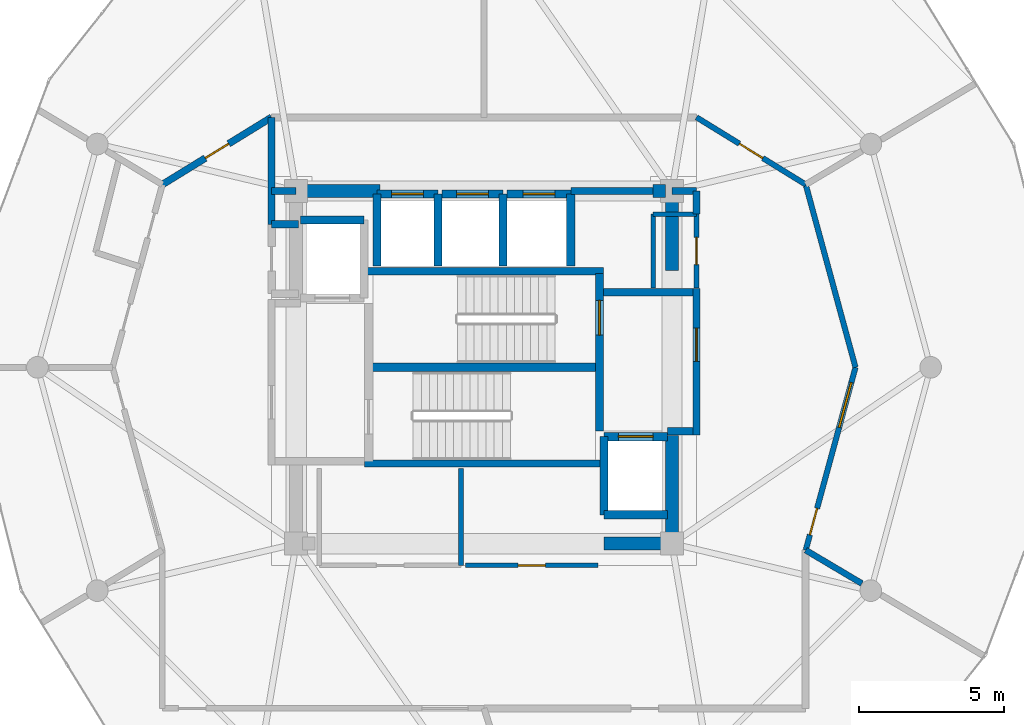
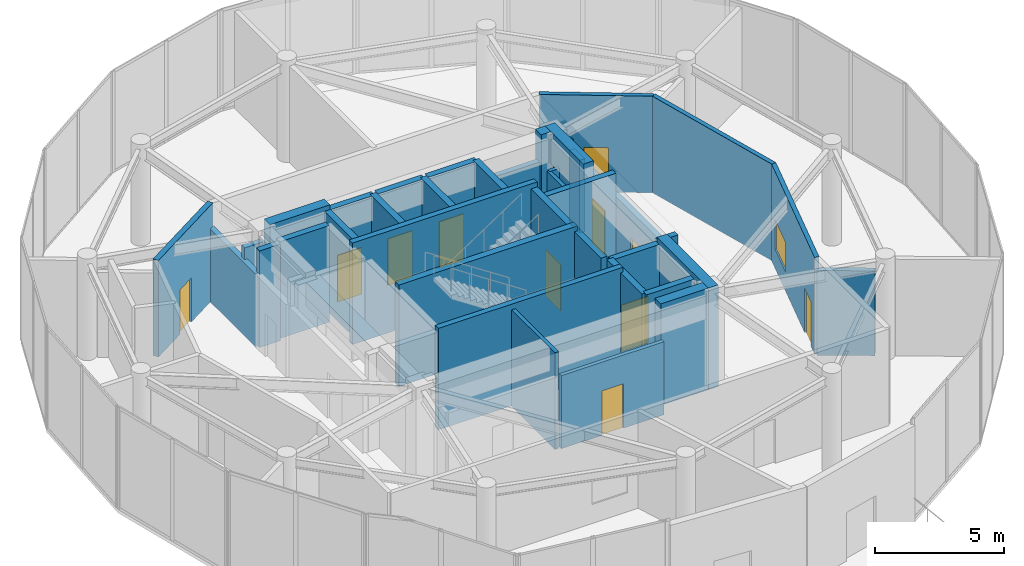
# One storey, part 18 of 21: 39 walls, 11 doors, 1 window, 12 openings.
"""IFC4 building model written with IfcOpenShell, lengths in metres."""

from ifc_helpers import new_model, si_unit, direction, frame, frame_2d, origin, place, context, subcontext, project, spatial, rectangle, extrude, material, layer, layer_set, type_object, element, fill, save


model = new_model("IFC4")

# Units and contexts
model_context = context("Model", 3, precision=1e-05, world=origin(), true_north=direction((0.0, 1.0)))
body_context = subcontext(model_context, "Body", "Model", "MODEL_VIEW")
ifc_project = project(units=[si_unit("LENGTHUNIT", "METRE"), si_unit("AREAUNIT", "SQUARE_METRE"), si_unit("VOLUMEUNIT", "CUBIC_METRE"), si_unit("PLANEANGLEUNIT", "RADIAN"), si_unit("MASSUNIT", "GRAM", prefix="KILO")], contexts=[model_context])

# Site, building, storey
site_placement = place(None, origin())
site = spatial("IfcSite", under=ifc_project, at=site_placement, CompositionType="ELEMENT")
building_placement = place(site_placement, origin())
building = spatial("IfcBuilding", under=site, at=building_placement, Name="Solvirekh Grand Hotel", CompositionType="ELEMENT")
storey_placement = place(building_placement, frame((0.0, 0.0, 262.0)))
storey = spatial("IfcBuildingStorey", under=building, at=storey_placement, Name="L68", CompositionType="ELEMENT", Elevation=262.0)

# Walls
ifc_material_1 = material(Name="Concrete C50/60", Category="concrete")
ifc_layer_1 = layer(ifc_material_1, 0.35009765625)
ifc_layer_set_1 = layer_set([ifc_layer_1], Name="Concrete C50/60")
wall_type_1 = type_object("IfcWallType", Name="CoreDivWall_RC350", PredefinedType="SOLIDWALL", material=ifc_layer_set_1)
for number, where, z_axis, x_axis, name in (
    (1, (-4.1298828125, -3.324951171875, 0.0), (0.0, 0.0, 1.0), (1.0, 0.0, 0.0), "L68 core stair box wall ST-S"),
    (2, (-4.1298828125, 3.324951171875, 0.0), (0.0, 0.0, 1.0), (1.0, 0.0, 0.0), "L68 core stair box wall ST-N"),
):
    element("IfcWall", number, at=place(storey_placement, frame(where, z_axis=z_axis, x_axis=x_axis)), inside=storey, type_object=wall_type_1, Name=name, PredefinedType="SOLIDWALL", context=body_context, shape_type="SweptSolid", body=[
        extrude(rectangle(XDim=8.259765625, YDim=0.25, at=frame_2d((4.1298828125, 0.0))), origin(), (0.0, 0.0, 1.0), 4.800048828125),
    ])

# Wall, opening, door
ifc_material_2 = material(Name="Concrete C40/50", Category="concrete")
ifc_layer_2 = layer(ifc_material_2, 0.280029296875)
ifc_layer_set_2 = layer_set([ifc_layer_2], Name="Concrete C40/50")
wall_type_2 = type_object("IfcWallType", Name="CoreShaftWall_RC280", PredefinedType="SOLIDWALL", material=ifc_layer_set_2)
wall_1_placement = place(storey_placement, frame((-1.60009765625, 6.0, 0.0), z_axis=(0.0, 0.0, 1.0), x_axis=(-1.0, 0.0, 0.0)))
wall_1 = element("IfcWall", 3, at=wall_1_placement, inside=storey, type_object=wall_type_2, Name="L68 HP-1 hoistway N wall", PredefinedType="SOLIDWALL", context=body_context, shape_type="SweptSolid", body=[
    extrude(rectangle(XDim=2.099853515625, YDim=0.280029296875, at=frame_2d((1.0498046875, 0.0))), origin(), (0.0, 0.0, 1.0), 4.570068359375),
])
opening_1_placement = place(wall_1_placement, frame((0.5, 0.0, 0.0)))
opening_1 = element("IfcOpeningElement", 4, at=opening_1_placement, cuts=wall_1, Name="Opening LD01", PredefinedType="OPENING", context=body_context, shape_type="SweptSolid", body=[
    extrude(rectangle(XDim=1.10009765625, YDim=2.199951171875, at=frame_2d((0.550048828125, 1.10009765625))), frame((0.0, 0.14990234375, 0.0), z_axis=(0.0, -1.0, 0.0), x_axis=(1.0, 0.0, 0.0)), (0.0, 0.0, 1.0), 0.300048828125),
])
ifc_material_3 = material(Name="Fire-Rated Steel Door Assembly", Category="steel")
door_type_1 = type_object("IfcDoorType", Name="Door_LiftLanding_1100X2200", OperationType="SLIDING_TO_LEFT", PredefinedType="DOOR", material=ifc_material_3)
door_1_placement = place(opening_1_placement, origin())
door_1 = element("IfcDoor", 5, at=door_1_placement, inside=storey, type_object=door_type_1, Name="L68 HP-1 sliding lift landing door", OperationType="SLIDING_TO_LEFT", OverallHeight=2.199951171875, OverallWidth=1.10009765625, PredefinedType="DOOR", context=body_context, shape_type="SweptSolid", body=[
    extrude(rectangle(XDim=1.10009765625, YDim=2.199951171875, at=frame_2d((0.550048828125, 1.10009765625))), frame((0.0, 0.02490234375, 0.0), z_axis=(0.0, -1.0, 0.0), x_axis=(1.0, 0.0, 0.0)), (0.0, 0.0, 1.0), 0.050048828125),
])
fill(opening_1, door_1)

# Walls
for number, where, z_axis, x_axis, name in (
    (6, (-3.699951171875, 6.0, 0.0), (0.0, 0.0, 1.0), (0.0, -1.0, 0.0), "L68 HP-1 hoistway W wall"),
    (7, (-1.60009765625, 3.5, 0.0), (0.0, 0.0, 1.0), (0.0, 1.0, 0.0), "L68 HP-1 hoistway E wall"),
):
    element("IfcWall", number, at=place(storey_placement, frame(where, z_axis=z_axis, x_axis=x_axis)), inside=storey, type_object=wall_type_2, Name=name, PredefinedType="SOLIDWALL", context=body_context, shape_type="SweptSolid", body=[
        extrude(rectangle(XDim=2.5, YDim=0.280029296875, at=frame_2d((1.25, 0.0))), origin(), (0.0, 0.0, 1.0), 4.570068359375),
    ])

# Wall, opening, door
wall_2_placement = place(storey_placement, frame((0.64990234375, 6.0, 0.0), z_axis=(0.0, 0.0, 1.0), x_axis=(-1.0, 0.0, 0.0)))
wall_2 = element("IfcWall", 8, at=wall_2_placement, inside=storey, type_object=wall_type_2, Name="L68 HP-2 hoistway N wall", PredefinedType="SOLIDWALL", context=body_context, shape_type="SweptSolid", body=[
    extrude(rectangle(XDim=2.099853515625, YDim=0.280029296875, at=frame_2d((1.0498046875, 0.0))), origin(), (0.0, 0.0, 1.0), 4.570068359375),
])
opening_2_placement = place(wall_2_placement, frame((0.5, 0.0, 0.0)))
opening_2 = element("IfcOpeningElement", 9, at=opening_2_placement, cuts=wall_2, Name="Opening LD01", PredefinedType="OPENING", context=body_context, shape_type="SweptSolid", body=[
    extrude(rectangle(XDim=1.10009765625, YDim=2.199951171875, at=frame_2d((0.550048828125, 1.10009765625))), frame((0.0, 0.14990234375, 0.0), z_axis=(0.0, -1.0, 0.0), x_axis=(1.0, 0.0, 0.0)), (0.0, 0.0, 1.0), 0.300048828125),
])
door_2_placement = place(opening_2_placement, origin())
door_2 = element("IfcDoor", 10, at=door_2_placement, inside=storey, type_object=door_type_1, Name="L68 HP-2 sliding lift landing door", OperationType="SLIDING_TO_LEFT", OverallHeight=2.199951171875, OverallWidth=1.10009765625, PredefinedType="DOOR", context=body_context, shape_type="SweptSolid", body=[
    extrude(rectangle(XDim=1.10009765625, YDim=2.199951171875, at=frame_2d((0.550048828125, 1.10009765625))), frame((0.0, 0.02490234375, 0.0), z_axis=(0.0, -1.0, 0.0), x_axis=(1.0, 0.0, 0.0)), (0.0, 0.0, 1.0), 0.050048828125),
])
fill(opening_2, door_2)

# Wall
wall_3_placement = place(storey_placement, frame((0.64990234375, 3.5, 0.0), z_axis=(0.0, 0.0, 1.0), x_axis=(0.0, 1.0, 0.0)))
element("IfcWall", 11, at=wall_3_placement, inside=storey, type_object=wall_type_2, Name="L68 HP-2 hoistway E wall", PredefinedType="SOLIDWALL", context=body_context, shape_type="SweptSolid", body=[
    extrude(rectangle(XDim=2.5, YDim=0.280029296875, at=frame_2d((1.25, 0.0))), origin(), (0.0, 0.0, 1.0), 4.570068359375),
])

# Wall, opening, door
wall_4_placement = place(storey_placement, frame((3.0, 6.0, 0.0), z_axis=(0.0, 0.0, 1.0), x_axis=(-1.0, 0.0, 0.0)))
wall_4 = element("IfcWall", 12, at=wall_4_placement, inside=storey, type_object=wall_type_2, Name="L68 EX-1 hoistway N wall", PredefinedType="SOLIDWALL", context=body_context, shape_type="SweptSolid", body=[
    extrude(rectangle(XDim=2.199951171875, YDim=0.280029296875, at=frame_2d((1.10009765625, 0.0))), origin(), (0.0, 0.0, 1.0), 4.570068359375),
])
opening_3_placement = place(wall_4_placement, frame((0.550048828125, 0.0, 0.0)))
opening_3 = element("IfcOpeningElement", 13, at=opening_3_placement, cuts=wall_4, Name="Opening LD01", PredefinedType="OPENING", context=body_context, shape_type="SweptSolid", body=[
    extrude(rectangle(XDim=1.10009765625, YDim=2.199951171875, at=frame_2d((0.550048828125, 1.10009765625))), frame((0.0, 0.14990234375, 0.0), z_axis=(0.0, -1.0, 0.0), x_axis=(1.0, 0.0, 0.0)), (0.0, 0.0, 1.0), 0.300048828125),
])
door_3_placement = place(opening_3_placement, origin())
door_3 = element("IfcDoor", 14, at=door_3_placement, inside=storey, type_object=door_type_1, Name="L68 EX-1 sliding lift landing door", OperationType="SLIDING_TO_LEFT", OverallHeight=2.199951171875, OverallWidth=1.10009765625, PredefinedType="DOOR", context=body_context, shape_type="SweptSolid", body=[
    extrude(rectangle(XDim=1.10009765625, YDim=2.199951171875, at=frame_2d((0.550048828125, 1.10009765625))), frame((0.0, 0.02490234375, 0.0), z_axis=(0.0, -1.0, 0.0), x_axis=(1.0, 0.0, 0.0)), (0.0, 0.0, 1.0), 0.050048828125),
])
fill(opening_3, door_3)

# Walls
wall_5_placement = place(storey_placement, frame((3.0, 3.5, 0.0), z_axis=(0.0, 0.0, 1.0), x_axis=(0.0, 1.0, 0.0)))
element("IfcWall", 15, at=wall_5_placement, inside=storey, type_object=wall_type_2, Name="L68 EX-1 hoistway E wall", PredefinedType="SOLIDWALL", context=body_context, shape_type="SweptSolid", body=[
    extrude(rectangle(XDim=2.5, YDim=0.280029296875, at=frame_2d((1.25, 0.0))), origin(), (0.0, 0.0, 1.0), 4.570068359375),
])
for number, where, z_axis, x_axis, name in (
    (16, (-4.14990234375, 5.10009765625, 0.0), (0.0, 0.0, 1.0), (-1.0, 0.0, 0.0), "L68 FL-1 hoistway N wall"),
    (17, (4.14990234375, -5.10009765625, 0.0), (0.0, 0.0, 1.0), (1.0, 0.0, 0.0), "L68 FL-2 hoistway S wall"),
):
    element("IfcWall", number, at=place(storey_placement, frame(where, z_axis=z_axis, x_axis=x_axis)), inside=storey, type_object=wall_type_2, Name=name, PredefinedType="SOLIDWALL", context=body_context, shape_type="SweptSolid", body=[
        extrude(rectangle(XDim=2.2001953125, YDim=0.280029296875, at=frame_2d((1.10009765625, 0.0))), origin(), (0.0, 0.0, 1.0), 4.570068359375),
    ])

# Wall, opening, door
wall_6_placement = place(storey_placement, frame((6.35009765625, -2.39990234375, 0.0), z_axis=(0.0, 0.0, 1.0), x_axis=(-1.0, 0.0, 0.0)))
wall_6 = element("IfcWall", 18, at=wall_6_placement, inside=storey, type_object=wall_type_2, Name="L68 FL-2 hoistway N wall", PredefinedType="SOLIDWALL", context=body_context, shape_type="SweptSolid", body=[
    extrude(rectangle(XDim=2.2001953125, YDim=0.280029296875, at=frame_2d((1.10009765625, 0.0))), origin(), (0.0, 0.0, 1.0), 4.570068359375),
])
opening_4_placement = place(wall_6_placement, frame((0.5, 0.0, 0.0)))
opening_4 = element("IfcOpeningElement", 19, at=opening_4_placement, cuts=wall_6, Name="Opening LD02", PredefinedType="OPENING", context=body_context, shape_type="SweptSolid", body=[
    extrude(rectangle(XDim=1.199951171875, YDim=2.199951171875, at=frame_2d((0.60009765625, 1.10009765625))), frame((0.0, 0.14990234375, 0.0), z_axis=(0.0, -1.0, 0.0), x_axis=(1.0, 0.0, 0.0)), (0.0, 0.0, 1.0), 0.300048828125),
])
door_type_2 = type_object("IfcDoorType", Name="Door_LiftFF_1200X2200", OperationType="SLIDING_TO_LEFT", PredefinedType="DOOR", material=ifc_material_3)
door_4_placement = place(opening_4_placement, origin())
door_4 = element("IfcDoor", 20, at=door_4_placement, inside=storey, type_object=door_type_2, Name="L68 FL-2 sliding lift landing door", OperationType="SLIDING_TO_LEFT", OverallHeight=2.199951171875, OverallWidth=1.199951171875, PredefinedType="DOOR", context=body_context, shape_type="SweptSolid", body=[
    extrude(rectangle(XDim=1.199951171875, YDim=2.199951171875, at=frame_2d((0.60009765625, 1.10009765625))), frame((0.0, 0.02490234375, 0.0), z_axis=(0.0, -1.0, 0.0), x_axis=(1.0, 0.0, 0.0)), (0.0, 0.0, 1.0), 0.050048828125),
])
fill(opening_4, door_4)

# Wall
wall_7_placement = place(storey_placement, frame((4.14990234375, -2.39990234375, 0.0), z_axis=(0.0, 0.0, 1.0), x_axis=(0.0, -1.0, 0.0)))
element("IfcWall", 21, at=wall_7_placement, inside=storey, type_object=wall_type_2, Name="L68 FL-2 hoistway W wall", PredefinedType="SOLIDWALL", context=body_context, shape_type="SweptSolid", body=[
    extrude(rectangle(XDim=2.7001953125, YDim=0.280029296875, at=frame_2d((1.35009765625, 0.0))), origin(), (0.0, 0.0, 1.0), 4.570068359375),
])

# Wall, opening, door
wall_8_placement = place(storey_placement, frame((3.989990234375, -2.2099609375, 0.0), z_axis=(0.0, 0.0, 1.0), x_axis=(0.0, 1.0, 0.0)))
wall_8 = element("IfcWall", 22, at=wall_8_placement, inside=storey, type_object=wall_type_2, Name="L68 east stair landing enclosure wall", PredefinedType="SOLIDWALL", context=body_context, shape_type="SweptSolid", body=[
    extrude(rectangle(XDim=5.4599609375, YDim=0.280029296875, at=frame_2d((2.72998046875, 0.0))), origin(), (0.0, 0.0, 1.0), 4.570068359375),
])
opening_5_placement = place(wall_8_placement, frame((3.322998046875, 0.0, 0.0)))
opening_5 = element("IfcOpeningElement", 23, at=opening_5_placement, cuts=wall_8, Name="Opening D05", PredefinedType="OPENING", context=body_context, shape_type="SweptSolid", body=[
    extrude(rectangle(XDim=1.199951171875, YDim=2.199951171875, at=frame_2d((0.60009765625, 1.10009765625))), frame((0.0, 0.14990234375, 0.0), z_axis=(0.0, -1.0, 0.0), x_axis=(1.0, 0.0, 0.0)), (0.0, 0.0, 1.0), 0.300048828125),
])
door_type_3 = type_object("IfcDoorType", Name="Door_StairCore_1200X2200", OperationType="NOTDEFINED", PredefinedType="DOOR", material=ifc_material_3)
door_5_placement = place(opening_5_placement, origin())
door_5 = element("IfcDoor", 24, at=door_5_placement, inside=storey, type_object=door_type_3, Name="L68 exit stair ST-2 fire door", OperationType="SINGLE_SWING_RIGHT", OverallHeight=2.199951171875, OverallWidth=1.199951171875, PredefinedType="DOOR", context=body_context, shape_type="SweptSolid", body=[
    extrude(rectangle(XDim=1.199951171875, YDim=2.199951171875, at=frame_2d((0.60009765625, 1.10009765625))), frame((0.0, 0.02490234375, 0.0), z_axis=(0.0, -1.0, 0.0), x_axis=(1.0, 0.0, 0.0)), (0.0, 0.0, 1.0), 0.050048828125),
])
fill(opening_5, door_5)

# Walls
ifc_layer_3 = layer(ifc_material_1, 0.449951171875)
ifc_layer_set_3 = layer_set([ifc_layer_3], Name="Concrete C50/60")
wall_type_3 = type_object("IfcWallType", Name="CoreWall_RC450", PredefinedType="SHEAR", material=ifc_layer_set_3)
wall_9_placement = place(storey_placement, frame((-3.989990234375, 0.0, 0.0), z_axis=(0.0, 0.0, 1.0), x_axis=(1.0, 0.0, 0.0)))
element("IfcWall", 25, at=wall_9_placement, inside=storey, type_object=wall_type_3, Name="L68 central stair-spine shear wall", PredefinedType="SHEAR", context=body_context, shape_type="SweptSolid", body=[
    extrude(rectangle(XDim=7.97998046875, YDim=0.300048828125, at=frame_2d((3.989990234375, 0.0))), origin(), (0.0, 0.0, 1.0), 4.800048828125),
])
wall_10_placement = place(storey_placement, frame((4.14990234375, -6.10009765625, 0.0), z_axis=(0.0, 0.0, 1.0), x_axis=(1.0, 0.0, 0.0)))
element("IfcWall", 26, at=wall_10_placement, inside=storey, type_object=wall_type_3, Name="L68 core corner shear wall SE-S", PredefinedType="SHEAR", context=body_context, shape_type="SweptSolid", body=[
    extrude(rectangle(XDim=2.125, YDim=0.449951171875, at=frame_2d((1.0625, 0.0))), origin(), (0.0, 0.0, 1.0), 4.800048828125),
])
wall_11_placement = place(storey_placement, frame((-6.27490234375, 6.10009765625, 0.0), z_axis=(0.0, 0.0, 1.0), x_axis=(1.0, 0.0, 0.0)))
element("IfcWall", 27, at=wall_11_placement, inside=storey, type_object=wall_type_3, Name="L68 core corner shear wall NW-N", PredefinedType="SHEAR", context=body_context, shape_type="SweptSolid", body=[
    extrude(rectangle(XDim=2.6748046875, YDim=0.449951171875, at=frame_2d((1.33740234375, 0.0))), origin(), (0.0, 0.0, 1.0), 4.800048828125),
])
wall_12_placement = place(storey_placement, frame((5.85009765625, 6.10009765625, 0.0), z_axis=(0.0, 0.0, 1.0), x_axis=(1.0, 0.0, 0.0)))
element("IfcWall", 28, at=wall_12_placement, inside=storey, type_object=wall_type_3, Name="L68 core corner shear wall NE-N", PredefinedType="SHEAR", context=body_context, shape_type="SweptSolid", body=[
    extrude(rectangle(XDim=0.4248046875, YDim=0.449951171875, at=frame_2d((0.21240234375, 0.0))), origin(), (0.0, 0.0, 1.0), 4.800048828125),
])
wall_13_placement = place(storey_placement, frame((6.5, -6.324951171875, 0.0), z_axis=(0.0, 0.0, 1.0), x_axis=(0.0, 1.0, 0.0)))
element("IfcWall", 29, at=wall_13_placement, inside=storey, type_object=wall_type_3, Name="L68 core corner shear wall ES-E", PredefinedType="SHEAR", context=body_context, shape_type="SweptSolid", body=[
    extrude(rectangle(XDim=3.974853515625, YDim=0.449951171875, at=frame_2d((1.9873046875, 0.0))), origin(), (0.0, 0.0, 1.0), 4.800048828125),
])
wall_14_placement = place(storey_placement, frame((6.5, 3.35009765625, 0.0), z_axis=(0.0, 0.0, 1.0), x_axis=(0.0, 1.0, 0.0)))
element("IfcWall", 30, at=wall_14_placement, inside=storey, type_object=wall_type_3, Name="L68 core corner shear wall EN-E", PredefinedType="SHEAR", context=body_context, shape_type="SweptSolid", body=[
    extrude(rectangle(XDim=2.974853515625, YDim=0.449951171875, at=frame_2d((1.4873046875, 0.0))), origin(), (0.0, 0.0, 1.0), 4.800048828125),
])

# Wall, opening, door
ifc_material_4 = material(Name="Acoustic Gypsum Partition Assembly")
ifc_layer_4 = layer(ifc_material_4, 0.1650390625)
ifc_layer_set_4 = layer_set([ifc_layer_4], Name="Acoustic Gypsum Partition Assembly")
wall_type_4 = type_object("IfcWallType", Name="Part_BOH_165", PredefinedType="PARTITIONING", material=ifc_layer_set_4)
wall_15_placement = place(storey_placement, frame((7.35009765625, 2.75, 0.0), z_axis=(0.0, 0.0, 1.0), x_axis=(0.0, 1.0, 0.0)))
wall_15 = element("IfcWall", 31, at=wall_15_placement, inside=storey, type_object=wall_type_4, Name="L68 L68 Core Housekeeping & Linen Room wall 2", PredefinedType="PARTITIONING", context=body_context, shape_type="SweptSolid", body=[
    extrude(rectangle(XDim=2.550048828125, YDim=0.1650390625, at=frame_2d((1.27490234375, 0.0))), origin(), (0.0, 0.0, 1.0), 3.455078125),
])
opening_6_placement = place(wall_15_placement, frame((0.800048828125, 0.0, 0.0)))
opening_6 = element("IfcOpeningElement", 32, at=opening_6_placement, cuts=wall_15, Name="Opening D10", PredefinedType="OPENING", context=body_context, shape_type="SweptSolid", body=[
    extrude(rectangle(XDim=0.949951171875, YDim=2.10009765625, at=frame_2d((0.47509765625, 1.050048828125))), frame((0.0, 0.092529296875, 0.0), z_axis=(0.0, -1.0, 0.0), x_axis=(1.0, 0.0, 0.0)), (0.0, 0.0, 1.0), 0.18505859375),
])
ifc_material_5 = material(Name="Anodized Bronze Aluminium 6063-T6", Category="aluminium")
door_type_4 = type_object("IfcDoorType", Name="Door_RoomInt_950X2100", OperationType="NOTDEFINED", PredefinedType="DOOR", material=ifc_material_5)
door_6_placement = place(opening_6_placement, origin())
door_6 = element("IfcDoor", 33, at=door_6_placement, inside=storey, type_object=door_type_4, Name="L68 L68 Core Housekeeping & Linen Room door", OperationType="SINGLE_SWING_RIGHT", OverallHeight=2.10009765625, OverallWidth=0.949951171875, PredefinedType="DOOR", context=body_context, shape_type="SweptSolid", body=[
    extrude(rectangle(XDim=0.949951171875, YDim=2.10009765625, at=frame_2d((0.47509765625, 1.050048828125))), frame((0.0, 0.02490234375, 0.0), z_axis=(0.0, -1.0, 0.0), x_axis=(1.0, 0.0, 0.0)), (0.0, 0.0, 1.0), 0.050048828125),
])
fill(opening_6, door_6)

# Walls
wall_16_placement = place(storey_placement, frame((7.35009765625, 5.300048828125, 0.0), z_axis=(0.0, 0.0, 1.0), x_axis=(-1.0, 0.0, 0.0)))
element("IfcWall", 34, at=wall_16_placement, inside=storey, type_object=wall_type_4, Name="L68 L68 Core Housekeeping & Linen Room wall 3", PredefinedType="PARTITIONING", context=body_context, shape_type="SweptSolid", body=[
    extrude(rectangle(XDim=1.5, YDim=0.1650390625, at=frame_2d((0.75, 0.0))), origin(), (0.0, 0.0, 1.0), 3.455078125),
])
wall_17_placement = place(storey_placement, frame((5.85009765625, 5.300048828125, 0.0), z_axis=(0.0, 0.0, 1.0), x_axis=(0.0, -1.0, 0.0)))
element("IfcWall", 35, at=wall_17_placement, inside=storey, type_object=wall_type_4, Name="L68 L68 Core Housekeeping & Linen Room wall 4", PredefinedType="PARTITIONING", context=body_context, shape_type="SweptSolid", body=[
    extrude(rectangle(XDim=2.550048828125, YDim=0.1650390625, at=frame_2d((1.27490234375, 0.0))), origin(), (0.0, 0.0, 1.0), 3.455078125),
])
wall_18_placement = place(storey_placement, frame((-0.800048828125, -6.85009765625, 0.0), z_axis=(0.0, 0.0, 1.0), x_axis=(0.0, 1.0, 0.0)))
element("IfcWall", 36, at=wall_18_placement, inside=storey, type_object=wall_type_4, Name="L68 High-Zone Housekeeping Linen Room wall 2", PredefinedType="PARTITIONING", context=body_context, shape_type="SweptSolid", body=[
    extrude(rectangle(XDim=3.35009765625, YDim=0.1650390625, at=frame_2d((1.675048828125, 0.0))), origin(), (0.0, 0.0, 1.0), 4.570068359375),
])

# Wall, opening, door
wall_19_placement = place(storey_placement, frame((-0.64990234375, -6.85009765625, 0.0), z_axis=(0.0, 0.0, 1.0), x_axis=(1.0, 0.0, 0.0)))
wall_19 = element("IfcWall", 37, at=wall_19_placement, inside=storey, type_object=wall_type_4, Name="L68 Butler Valet Steward Room wall 1", PredefinedType="PARTITIONING", context=body_context, shape_type="SweptSolid", body=[
    extrude(rectangle(XDim=4.599853515625, YDim=0.1650390625, at=frame_2d((2.2998046875, 0.0))), origin(), (0.0, 0.0, 1.0), 3.455078125),
])
opening_7_placement = place(wall_19_placement, frame((1.824951171875, 0.0, 0.0)))
opening_7 = element("IfcOpeningElement", 38, at=opening_7_placement, cuts=wall_19, Name="Opening D10", PredefinedType="OPENING", context=body_context, shape_type="SweptSolid", body=[
    extrude(rectangle(XDim=0.949951171875, YDim=2.10009765625, at=frame_2d((0.47509765625, 1.050048828125))), frame((0.0, 0.092529296875, 0.0), z_axis=(0.0, -1.0, 0.0), x_axis=(1.0, 0.0, 0.0)), (0.0, 0.0, 1.0), 0.18505859375),
])
door_7_placement = place(opening_7_placement, origin())
door_7 = element("IfcDoor", 39, at=door_7_placement, inside=storey, type_object=door_type_4, Name="L68 Butler Valet Steward Room door", OperationType="SINGLE_SWING_RIGHT", OverallHeight=2.10009765625, OverallWidth=0.949951171875, PredefinedType="DOOR", context=body_context, shape_type="SweptSolid", body=[
    extrude(rectangle(XDim=0.949951171875, YDim=2.10009765625, at=frame_2d((0.47509765625, 1.050048828125))), frame((0.0, 0.02490234375, 0.0), z_axis=(0.0, -1.0, 0.0), x_axis=(1.0, 0.0, 0.0)), (0.0, 0.0, 1.0), 0.050048828125),
])
fill(opening_7, door_7)

ifc_layer_5 = layer(ifc_material_4, 0.239990234375)
ifc_layer_set_5 = layer_set([ifc_layer_5], Name="Acoustic Gypsum Partition Assembly")
wall_type_5 = type_object("IfcWallType", Name="Part_Corridor_240", PredefinedType="PARTITIONING", material=ifc_layer_set_5)
wall_20_placement = place(storey_placement, frame((7.35009765625, -2.340087890625, 0.0), z_axis=(0.0, 0.0, 1.0), x_axis=(0.0, 1.0, 0.0)))
wall_20 = element("IfcWall", 40, at=wall_20_placement, inside=storey, type_object=wall_type_5, Name="L68 east firefighting lobby smoke screen wall", PredefinedType="PARTITIONING", context=body_context, shape_type="SweptSolid", body=[
    extrude(rectangle(XDim=5.070068359375, YDim=0.239990234375, at=frame_2d((2.53515625, 0.0))), origin(), (0.0, 0.0, 1.0), 3.455078125),
])
opening_8_placement = place(wall_20_placement, frame((2.548095703125, 0.0, 0.0)))
opening_8 = element("IfcOpeningElement", 41, at=opening_8_placement, cuts=wall_20, Name="Opening D06", PredefinedType="OPENING", context=body_context, shape_type="SweptSolid", body=[
    extrude(rectangle(XDim=1.14990234375, YDim=2.199951171875, at=frame_2d((0.574951171875, 1.10009765625))), frame((0.0, 0.1298828125, 0.0), z_axis=(0.0, -1.0, 0.0), x_axis=(1.0, 0.0, 0.0)), (0.0, 0.0, 1.0), 0.260009765625),
])
door_type_5 = type_object("IfcDoorType", Name="Door_FFLobby_1150X2200", OperationType="NOTDEFINED", PredefinedType="DOOR", material=ifc_material_3)
door_8_placement = place(opening_8_placement, origin())
door_8 = element("IfcDoor", 42, at=door_8_placement, inside=storey, type_object=door_type_5, Name="L68 east firefighting lobby smoke door", OperationType="SINGLE_SWING_RIGHT", OverallHeight=2.199951171875, OverallWidth=1.14990234375, PredefinedType="DOOR", context=body_context, shape_type="SweptSolid", body=[
    extrude(rectangle(XDim=1.14990234375, YDim=2.199951171875, at=frame_2d((0.574951171875, 1.10009765625))), frame((0.0, 0.02490234375, 0.0), z_axis=(0.0, -1.0, 0.0), x_axis=(1.0, 0.0, 0.0)), (0.0, 0.0, 1.0), 0.050048828125),
])
fill(opening_8, door_8)

# Walls
wall_21_placement = place(storey_placement, frame((3.0, 6.10009765625, 0.0), z_axis=(0.0, 0.0, 1.0), x_axis=(1.0, 0.0, 0.0)))
element("IfcWall", 43, at=wall_21_placement, inside=storey, type_object=wall_type_5, Name="L68 north core shaft infill wall", PredefinedType="PARTITIONING", context=body_context, shape_type="SweptSolid", body=[
    extrude(rectangle(XDim=2.85009765625, YDim=0.239990234375, at=frame_2d((1.425048828125, 0.0))), origin(), (0.0, 0.0, 1.0), 3.455078125),
])
wall_22_placement = place(storey_placement, frame((7.35009765625, 5.300048828125, 0.0), z_axis=(0.0, 0.0, 1.0), x_axis=(0.0, 1.0, 0.0)))
element("IfcWall", 44, at=wall_22_placement, inside=storey, type_object=wall_type_5, Name="L68 NE core cheek closure wall", PredefinedType="PARTITIONING", context=body_context, shape_type="SweptSolid", body=[
    extrude(rectangle(XDim=0.800048828125, YDim=0.239990234375, at=frame_2d((0.39990234375, 0.0))), origin(), (0.0, 0.0, 1.0), 3.455078125),
])
wall_23_placement = place(storey_placement, frame((6.5, 6.10009765625, 0.0), z_axis=(0.0, 0.0, 1.0), x_axis=(1.0, 0.0, 0.0)))
element("IfcWall", 45, at=wall_23_placement, inside=storey, type_object=wall_type_5, Name="L68 NE core corner tie wall", PredefinedType="PARTITIONING", context=body_context, shape_type="SweptSolid", body=[
    extrude(rectangle(XDim=0.85009765625, YDim=0.239990234375, at=frame_2d((0.425048828125, 0.0))), origin(), (0.0, 0.0, 1.0), 4.010986328125),
])
wall_24_placement = place(storey_placement, frame((-7.35009765625, 4.949951171875, 0.0), z_axis=(0.0, 0.0, 1.0), x_axis=(0.0, 1.0, 0.0)))
element("IfcWall", 46, at=wall_24_placement, inside=storey, type_object=wall_type_5, Name="L68 north lift lobby west wall", PredefinedType="PARTITIONING", context=body_context, shape_type="SweptSolid", body=[
    extrude(rectangle(XDim=3.699951171875, YDim=0.239990234375, at=frame_2d((1.85009765625, 0.0))), origin(), (0.0, 0.0, 1.0), 3.455078125),
])
wall_25_placement = place(storey_placement, frame((-7.35009765625, 6.10009765625, 0.0), z_axis=(0.0, 0.0, 1.0), x_axis=(1.0, 0.0, 0.0)))
element("IfcWall", 47, at=wall_25_placement, inside=storey, type_object=wall_type_5, Name="L68 NW core corner closure wall", PredefinedType="PARTITIONING", context=body_context, shape_type="SweptSolid", body=[
    extrude(rectangle(XDim=0.85009765625, YDim=0.239990234375, at=frame_2d((0.425048828125, 0.0))), origin(), (0.0, 0.0, 1.0), 4.010986328125),
])

# Wall, opening, door
wall_26_placement = place(storey_placement, frame((-11.1279296875, 6.324951171875, 0.0), z_axis=(0.0, 0.0, 1.0), x_axis=(0.851645088617, 0.524118920699, 0.0)))
wall_26 = element("IfcWall", 48, at=wall_26_placement, inside=storey, type_object=wall_type_5, Name="L68 Solarium Club Office & Concierge corridor wall", PredefinedType="PARTITIONING", context=body_context, shape_type="SweptSolid", body=[
    extrude(rectangle(XDim=4.43603515625, YDim=0.239990234375, at=frame_2d((2.218017578125, 0.0))), origin(), (0.0, 0.0, 1.0), 4.570068359375),
])
opening_9_placement = place(wall_26_placement, frame((1.742919921875, 0.0, 0.0)))
opening_9 = element("IfcOpeningElement", 49, at=opening_9_placement, cuts=wall_26, Name="Opening D10", PredefinedType="OPENING", context=body_context, shape_type="SweptSolid", body=[
    extrude(rectangle(XDim=0.949951171875, YDim=2.10009765625, at=frame_2d((0.47509765625, 1.050048828125))), frame((0.0, 0.1298828125, 0.0), z_axis=(0.0, -1.0, 0.0), x_axis=(1.0, 0.0, 0.0)), (0.0, 0.0, 1.0), 0.260009765625),
])
door_9_placement = place(opening_9_placement, origin())
door_9 = element("IfcDoor", 50, at=door_9_placement, inside=storey, type_object=door_type_4, Name="L68 Solarium Club Office & Concierge entrance door", OperationType="SINGLE_SWING_RIGHT", OverallHeight=2.10009765625, OverallWidth=0.949951171875, PredefinedType="DOOR", context=body_context, shape_type="SweptSolid", body=[
    extrude(rectangle(XDim=0.949951171875, YDim=2.10009765625, at=frame_2d((0.47509765625, 1.050048828125))), frame((0.0, 0.02490234375, 0.0), z_axis=(0.0, -1.0, 0.0), x_axis=(1.0, 0.0, 0.0)), (0.0, 0.0, 1.0), 0.050048828125),
])
fill(opening_9, door_9)

ifc_layer_6 = layer(ifc_material_4, 0.18994140625)
ifc_layer_set_6 = layer_set([ifc_layer_6], Name="Acoustic Gypsum Partition Assembly")
wall_type_6 = type_object("IfcWallType", Name="Part_GuestDemise_190", PredefinedType="PARTITIONING", material=ifc_layer_set_6)
wall_27_placement = place(storey_placement, frame((7.35009765625, 8.64990234375, 0.0), z_axis=(0.0, 0.0, 1.0), x_axis=(0.851645088617, -0.524118920699, 0.0)))
wall_27 = element("IfcWall", 51, at=wall_27_placement, inside=storey, type_object=wall_type_6, Name="L68 Vitality Hydrotherapy & Sauna Suite corridor wall", PredefinedType="PARTITIONING", context=body_context, shape_type="SweptSolid", body=[
    extrude(rectangle(XDim=4.43603515625, YDim=0.18994140625, at=frame_2d((2.218017578125, 0.0))), origin(), (0.0, 0.0, 1.0), 4.570068359375),
])
opening_10_placement = place(wall_27_placement, frame((1.742919921875, 0.0, 0.0)))
opening_10 = element("IfcOpeningElement", 52, at=opening_10_placement, cuts=wall_27, Name="Opening D10", PredefinedType="OPENING", context=body_context, shape_type="SweptSolid", body=[
    extrude(rectangle(XDim=0.949951171875, YDim=2.10009765625, at=frame_2d((0.47509765625, 1.050048828125))), frame((0.0, 0.10498046875, 0.0), z_axis=(0.0, -1.0, 0.0), x_axis=(1.0, 0.0, 0.0)), (0.0, 0.0, 1.0), 0.2099609375),
])
door_10_placement = place(opening_10_placement, origin())
door_10 = element("IfcDoor", 53, at=door_10_placement, inside=storey, type_object=door_type_4, Name="L68 Vitality Hydrotherapy & Sauna Suite entrance door", OperationType="SINGLE_SWING_LEFT", OverallHeight=2.10009765625, OverallWidth=0.949951171875, PredefinedType="DOOR", context=body_context, shape_type="SweptSolid", body=[
    extrude(rectangle(XDim=0.949951171875, YDim=2.10009765625, at=frame_2d((0.47509765625, 1.050048828125))), frame((0.0, 0.02490234375, 0.0), z_axis=(0.0, -1.0, 0.0), x_axis=(1.0, 0.0, 0.0)), (0.0, 0.0, 1.0), 0.050048828125),
])
fill(opening_10, door_10)

# Wall, openings, door, window
wall_28_placement = place(storey_placement, frame((11.1279296875, -6.324951171875, 0.0), z_axis=(0.0, 0.0, 1.0), x_axis=(0.262717156474, 0.964872890952, 0.0)))
wall_28 = element("IfcWall", 54, at=wall_28_placement, inside=storey, type_object=wall_type_6, Name="L68 Sky Pool Lounge corridor wall", PredefinedType="PARTITIONING", context=body_context, shape_type="SweptSolid", body=[
    extrude(rectangle(XDim=6.55517578125, YDim=0.18994140625, at=frame_2d((3.277587890625, 0.0))), origin(), (0.0, 0.0, 1.0), 4.570068359375),
])
opening_11_placement = place(wall_28_placement, frame((0.550048828125, 0.0, 0.0)))
opening_11 = element("IfcOpeningElement", 55, at=opening_11_placement, cuts=wall_28, Name="Opening D10", PredefinedType="OPENING", context=body_context, shape_type="SweptSolid", body=[
    extrude(rectangle(XDim=0.949951171875, YDim=2.10009765625, at=frame_2d((0.47509765625, 1.050048828125))), frame((0.0, 0.10498046875, 0.0), z_axis=(0.0, -1.0, 0.0), x_axis=(1.0, 0.0, 0.0)), (0.0, 0.0, 1.0), 0.2099609375),
])
opening_12_placement = place(wall_28_placement, frame((4.405029296875, 0.0, 0.89990234375)))
opening_12 = element("IfcOpeningElement", 56, at=opening_12_placement, cuts=wall_28, Name="Opening W04", PredefinedType="OPENING", context=body_context, shape_type="SweptSolid", body=[
    extrude(rectangle(XDim=1.60009765625, YDim=1.39990234375, at=frame_2d((0.800048828125, 0.699951171875))), frame((0.0, 0.10498046875, 0.0), z_axis=(0.0, -1.0, 0.0), x_axis=(1.0, 0.0, 0.0)), (0.0, 0.0, 1.0), 0.2099609375),
])
door_11_placement = place(opening_11_placement, origin())
door_11 = element("IfcDoor", 57, at=door_11_placement, inside=storey, type_object=door_type_4, Name="L68 Sky Pool Lounge entrance door", OperationType="SINGLE_SWING_RIGHT", OverallHeight=2.10009765625, OverallWidth=0.949951171875, PredefinedType="DOOR", context=body_context, shape_type="SweptSolid", body=[
    extrude(rectangle(XDim=0.949951171875, YDim=2.10009765625, at=frame_2d((0.47509765625, 1.050048828125))), frame((0.0, 0.02490234375, 0.0), z_axis=(0.0, -1.0, 0.0), x_axis=(1.0, 0.0, 0.0)), (0.0, 0.0, 1.0), 0.050048828125),
])
fill(opening_11, door_11)
ifc_material_6 = material(Name="Fire-Rated Ceramic Glazing", Category="glass")
window_type = type_object("IfcWindowType", Name="Win_ConfInt_1600X1400", PartitioningType="SINGLE_PANEL", PredefinedType="WINDOW", material=ifc_material_6)
window_placement = place(opening_12_placement, origin())
window = element("IfcWindow", 58, at=window_placement, inside=storey, type_object=window_type, Name="L68 Sky Pool Lounge interior glazed screen", OverallHeight=1.39990234375, OverallWidth=1.60009765625, PartitioningType="SINGLE_PANEL", PredefinedType="WINDOW", context=body_context, shape_type="SweptSolid", body=[
    extrude(rectangle(XDim=1.60009765625, YDim=1.39990234375, at=frame_2d((0.800048828125, 0.699951171875))), frame((0.0, 0.030029296875, 0.0), z_axis=(0.0, -1.0, 0.0), x_axis=(1.0, 0.0, 0.0)), (0.0, 0.0, 1.0), 0.06005859375),
])
fill(opening_12, window)

# Walls
wall_29_placement = place(storey_placement, frame((12.85009765625, 0.0, 0.0), z_axis=(0.0, 0.0, 1.0), x_axis=(-0.262717156474, 0.964872890952, 0.0)))
element("IfcWall", 59, at=wall_29_placement, inside=storey, type_object=wall_type_6, Name="L68 Sky Pool Lounge corridor wall 2", PredefinedType="PARTITIONING", context=body_context, shape_type="SweptSolid", body=[
    extrude(rectangle(XDim=6.55517578125, YDim=0.18994140625, at=frame_2d((3.277587890625, 0.0))), origin(), (0.0, 0.0, 1.0), 4.570068359375),
])
ifc_layer_7 = layer(ifc_material_4, 0.260009765625)
ifc_layer_set_7 = layer_set([ifc_layer_7], Name="Acoustic Gypsum Partition Assembly")
wall_type_7 = type_object("IfcWallType", Name="Part_LobbyFF_260", PredefinedType="PARTITIONING", material=ifc_layer_set_7)
wall_30_placement = place(storey_placement, frame((6.35009765625, -2.2099609375, 0.0), z_axis=(0.0, 0.0, 1.0), x_axis=(1.0, 0.0, 0.0)))
element("IfcWall", 60, at=wall_30_placement, inside=storey, type_object=wall_type_7, Name="L68 east firefighting lobby SE cheek", PredefinedType="PARTITIONING", context=body_context, shape_type="SweptSolid", body=[
    extrude(rectangle(XDim=0.875, YDim=0.260009765625, at=frame_2d((0.4375, 0.0))), origin(), (0.0, 0.0, 1.0), 4.570068359375),
])
wall_31_placement = place(storey_placement, frame((4.1298828125, 2.60009765625, 0.0), z_axis=(0.0, 0.0, 1.0), x_axis=(1.0, 0.0, 0.0)))
element("IfcWall", 61, at=wall_31_placement, inside=storey, type_object=wall_type_7, Name="L68 east firefighting lobby north partition", PredefinedType="PARTITIONING", context=body_context, shape_type="SweptSolid", body=[
    extrude(rectangle(XDim=3.09521484375, YDim=0.260009765625, at=frame_2d((1.547607421875, 0.0))), origin(), (0.0, 0.0, 1.0), 4.570068359375),
])
wall_32_placement = place(storey_placement, frame((-7.35009765625, 4.949951171875, 0.0), z_axis=(0.0, 0.0, 1.0), x_axis=(1.0, 0.0, 0.0)))
element("IfcWall", 62, at=wall_32_placement, inside=storey, type_object=wall_type_7, Name="L68 NW telecom metering cupboard north wall", PredefinedType="PARTITIONING", context=body_context, shape_type="SweptSolid", body=[
    extrude(rectangle(XDim=0.93017578125, YDim=0.260009765625, at=frame_2d((0.465087890625, 0.0))), origin(), (0.0, 0.0, 1.0), 4.570068359375),
])
ifc_layer_8 = layer(ifc_material_4, 0.2099609375)
ifc_layer_set_8 = layer_set([ifc_layer_8], Name="Acoustic Gypsum Partition Assembly")
wall_type_8 = type_object("IfcWallType", Name="Part_SuiteDemise_210", PredefinedType="PARTITIONING", material=ifc_layer_set_8)
wall_33_placement = place(storey_placement, frame((11.1279296875, -6.324951171875, 0.0), z_axis=(0.0, 0.0, 1.0), x_axis=(0.859791012607, -0.510646075712, 0.0)))
element("IfcWall", 63, at=wall_33_placement, inside=storey, type_object=wall_type_8, Name="L68 radial demising wall 12 (A)", PredefinedType="PARTITIONING", context=body_context, shape_type="SweptSolid", body=[
    extrude(rectangle(XDim=2.260009765625, YDim=0.2099609375, at=frame_2d((1.1298828125, 0.0))), origin(), (0.0, 0.0, 1.0), 4.010986328125),
])

save(model, "model.ifc")
